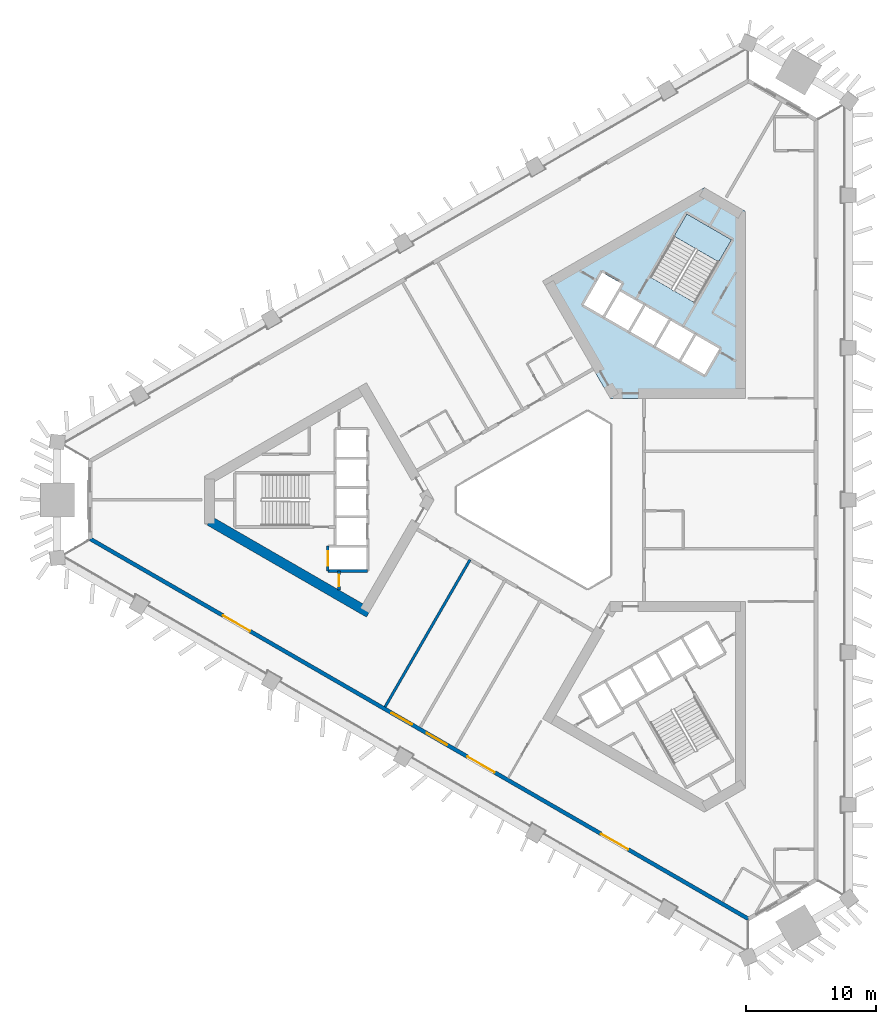
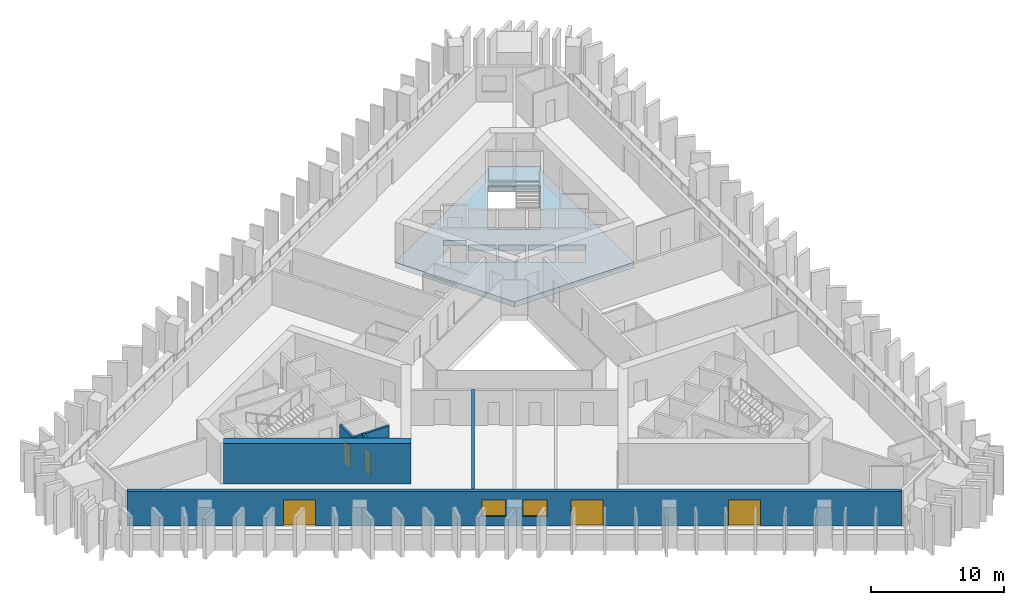
# One storey, part 2 of 11: 6 walls, 5 doors, 2 slabs, 2 windows, 7 openings, 1 element without a shape of its own.
"""IFC4 building model written with IfcOpenShell, lengths in metres."""

from ifc_helpers import new_model, si_unit, direction, frame, frame_2d, origin, place, context, subcontext, project, spatial, polyline, rectangle, outline, extrude, material, layer, layer_set, type_object, element, fill, aggregate, save


model = new_model("IFC4")

# Units and contexts
model_context = context("Model", 3, precision=1e-05, world=origin(), true_north=direction((0.0, 1.0)))
body_context = subcontext(model_context, "Body", "Model", "MODEL_VIEW")
ifc_project = project(units=[si_unit("LENGTHUNIT", "METRE"), si_unit("AREAUNIT", "SQUARE_METRE"), si_unit("VOLUMEUNIT", "CUBIC_METRE"), si_unit("PLANEANGLEUNIT", "RADIAN"), si_unit("MASSUNIT", "GRAM", prefix="KILO")], contexts=[model_context])

# Site, building, storey
site_placement = place(None, origin())
site = spatial("IfcSite", under=ifc_project, at=site_placement, CompositionType="ELEMENT")
building_placement = place(site_placement, origin())
building = spatial("IfcBuilding", under=site, at=building_placement, Name="Jabali Bay Hotel Tower and Convention Centre", CompositionType="ELEMENT")
storey_placement = place(building_placement, frame((0.0, 0.0, 90.60009765625)))
storey = spatial("IfcBuildingStorey", under=building, at=storey_placement, Name="L21", CompositionType="ELEMENT", Elevation=90.60009765625)

# Slab
ifc_material_1 = material(Name="Concrete C40", Category="concrete")
ifc_layer_1 = layer(ifc_material_1, 0.5)
ifc_layer_set_1 = layer_set([ifc_layer_1], Name="Concrete C40")
slab_type_1 = type_object("IfcSlabType", Name="Core floor slab 500", PredefinedType="FLOOR", material=ifc_layer_set_1)
slab_1_placement = place(storey_placement, frame((0.0, 0.0, -0.5)))
element("IfcSlab", 1, at=slab_1_placement, inside=storey, type_object=slab_type_1, Name="Core floor slab 2 L21", PredefinedType="FLOOR", context=body_context, shape_type="SweptSolid", body=[
    extrude(outline(polyline([(79.5, 87.794189453125), (89.8798828125, 87.794189453125), (89.8798828125, 102.127685546875), (86.72314453125, 103.9501953125), (74.31005859375, 96.78369140625), (79.5, 87.794189453125)]), holes=[polyline([(84.957763671875, 90.6474609375), (86.733154296875, 89.62255859375), (87.873291015625, 91.59716796875), (86.097900390625, 92.6220703125), (84.957763671875, 90.6474609375)]), polyline([(84.1494140625, 93.7470703125), (83.00927734375, 91.7724609375), (84.78466796875, 90.74755859375), (85.924560546875, 92.72216796875), (84.1494140625, 93.7470703125)]), polyline([(82.20068359375, 94.8720703125), (81.060791015625, 92.8974609375), (82.836181640625, 91.87255859375), (83.97607421875, 93.84716796875), (82.20068359375, 94.8720703125)]), polyline([(79.1123046875, 94.0224609375), (80.887451171875, 92.99755859375), (82.027587890625, 94.97216796875), (80.252197265625, 95.9970703125), (79.1123046875, 94.0224609375)]), polyline([(78.891845703125, 97.440673828125), (77.466796875, 94.97265625), (78.93896484375, 94.12255859375), (80.364013671875, 96.5908203125), (78.891845703125, 97.440673828125)]), polyline([(82.584716796875, 97.0869140625), (86.00537109375, 95.11181640625), (88.80029296875, 99.952880859375), (85.379638671875, 101.927978515625), (82.584716796875, 97.0869140625)])]), origin(), (0.0, 0.0, 1.0), 0.5),
])

# Stair, slab
stair_type = type_object("IfcStairType", Name="Exit stair 1900", PredefinedType="HALF_TURN_STAIR", material=ifc_material_1)
stair_placement = place(storey_placement, origin())
stair = element("IfcStair", 2, at=stair_placement, inside=storey, type_object=stair_type, Name="L21 Exit Stair 2", PredefinedType="HALF_TURN_STAIR")
ifc_layer_2 = layer(ifc_material_1, 0.199951171875)
ifc_layer_set_2 = layer_set([ifc_layer_2], Name="Concrete C40")
slab_type_2 = type_object("IfcSlabType", Name="Stair landing 200", PredefinedType="LANDING", material=ifc_layer_set_2)
slab_2_placement = place(storey_placement, frame((0.0, 0.0, 1.64990234375)))
slab_2 = element("IfcSlab", 3, at=slab_2_placement, type_object=slab_type_2, Name="ST2 landing 1", PredefinedType="LANDING", context=body_context, shape_type="SweptSolid", body=[
    extrude(outline(polyline([(87.81884765625, 98.2529296875), (88.80029296875, 99.952880859375), (85.379638671875, 101.927978515625), (84.398193359375, 100.22802734375), (87.81884765625, 98.2529296875)])), origin(), (0.0, 0.0, 1.0), 0.199951171875),
])
aggregate(stair, [slab_2])

# Wall, opening, door
ifc_layer_3 = layer(ifc_material_1, 0.199951171875)
ifc_layer_set_3 = layer_set([ifc_layer_3], Name="Concrete C40")
wall_type_1 = type_object("IfcWallType", Name="Core partition wall 200", PredefinedType="PARTITIONING", material=ifc_layer_set_3)
wall_1_placement = place(storey_placement, frame((58.699951171875, 74.550048828125, 0.0), z_axis=(0.0, 0.0, 1.0), x_axis=(0.0, -1.0, 0.0)))
wall_1 = element("IfcWall", 4, at=wall_1_placement, inside=storey, type_object=wall_type_1, Name="Core wall 0.12 L21", PredefinedType="PARTITIONING", context=body_context, shape_type="SweptSolid", body=[
    extrude(rectangle(XDim=1.455078125, YDim=0.199951171875, at=frame_2d((0.7275390625, 0.0))), origin(), (0.0, 0.0, 1.0), 3.199951171875),
])
opening_1_placement = place(wall_1_placement, frame((0.277587890625, 0.0, 0.0)))
opening_1 = element("IfcOpeningElement", 5, at=opening_1_placement, cuts=wall_1, Name="Opening D494", PredefinedType="OPENING", context=body_context, shape_type="SweptSolid", body=[
    extrude(rectangle(XDim=0.89990234375, YDim=2.10009765625, at=frame_2d((0.449951171875, 1.050048828125))), frame((0.0, 0.1103515625, 0.0), z_axis=(0.0, -1.0, 0.0), x_axis=(1.0, 0.0, 0.0)), (0.0, 0.0, 1.0), 0.220947265625),
])
ifc_material_2 = material(Name="Fire-rated steel door", Category="steel")
door_type_1 = type_object("IfcDoorType", Name="Vestibule fire door 900 x 2100", OperationType="NOTDEFINED", PredefinedType="NOTDEFINED", material=ifc_material_2)
door_1_placement = place(opening_1_placement, origin())
door_1 = element("IfcDoor", 6, at=door_1_placement, inside=storey, type_object=door_type_1, Name="Vestibule fire door D494", OperationType="SINGLE_SWING_LEFT", OverallHeight=2.10009765625, OverallWidth=0.89990234375, PredefinedType="NOTDEFINED", context=body_context, shape_type="SweptSolid", body=[
    extrude(rectangle(XDim=0.89990234375, YDim=2.10009765625, at=frame_2d((0.449951171875, 1.050048828125))), frame((0.0, 0.02490234375, 0.0), z_axis=(0.0, -1.0, 0.0), x_axis=(1.0, 0.0, 0.0)), (0.0, 0.0, 1.0), 0.050048828125),
])
fill(opening_1, door_1)

# Wall
ifc_layer_4 = layer(ifc_material_1, 0.199951171875)
ifc_layer_set_4 = layer_set([ifc_layer_4], Name="Concrete C40")
wall_type_2 = type_object("IfcWallType", Name="Core stair wall 200", PredefinedType="SOLIDWALL", material=ifc_layer_set_4)
wall_2_placement = place(storey_placement, frame((60.89990234375, 74.550048828125, 0.0), z_axis=(0.0, 0.0, 1.0), x_axis=(-1.0, 0.0, 0.0)))
element("IfcWall", 7, at=wall_2_placement, inside=storey, type_object=wall_type_2, Name="Core wall 0.9 L21", PredefinedType="SOLIDWALL", context=body_context, shape_type="SweptSolid", body=[
    extrude(rectangle(XDim=3.0498046875, YDim=0.199951171875, at=frame_2d((1.52490234375, 0.0))), origin(), (0.0, 0.0, 1.0), 3.199951171875),
])

# Wall, opening, door
wall_3_placement = place(storey_placement, frame((57.85009765625, 76.449951171875, 0.0), z_axis=(0.0, 0.0, 1.0), x_axis=(0.0, -1.0, 0.0)))
wall_3 = element("IfcWall", 8, at=wall_3_placement, inside=storey, type_object=wall_type_2, Name="Core wall 0.14 L21", PredefinedType="SOLIDWALL", context=body_context, shape_type="SweptSolid", body=[
    extrude(rectangle(XDim=1.89990234375, YDim=0.199951171875, at=frame_2d((0.949951171875, 0.0))), origin(), (0.0, 0.0, 1.0), 3.199951171875),
])
opening_2_placement = place(wall_3_placement, frame((0.39990234375, 0.0, 0.0)))
opening_2 = element("IfcOpeningElement", 9, at=opening_2_placement, cuts=wall_3, Name="Opening LD5-L21", PredefinedType="OPENING", context=body_context, shape_type="SweptSolid", body=[
    extrude(rectangle(XDim=1.10009765625, YDim=2.10009765625, at=frame_2d((0.550048828125, 1.050048828125))), frame((0.0, 0.1103515625, 0.0), z_axis=(0.0, -1.0, 0.0), x_axis=(1.0, 0.0, 0.0)), (0.0, 0.0, 1.0), 0.220947265625),
])
ifc_material_3 = material(Name="Stainless steel landing door", Category="steel")
door_type_2 = type_object("IfcDoorType", Name="Landing door 1100 x 2100", OperationType="NOTDEFINED", PredefinedType="NOTDEFINED", material=ifc_material_3)
door_2_placement = place(opening_2_placement, origin())
door_2 = element("IfcDoor", 10, at=door_2_placement, inside=storey, type_object=door_type_2, Name="Landing doors LD5-L21", OperationType="SLIDING_TO_RIGHT", OverallHeight=2.10009765625, OverallWidth=1.10009765625, PredefinedType="NOTDEFINED", context=body_context, shape_type="SweptSolid", body=[
    extrude(rectangle(XDim=1.10009765625, YDim=2.10009765625, at=frame_2d((0.550048828125, 1.050048828125))), frame((0.0, 0.02490234375, 0.0), z_axis=(0.0, -1.0, 0.0), x_axis=(1.0, 0.0, 0.0)), (0.0, 0.0, 1.0), 0.050048828125),
])
fill(opening_2, door_2)

# Wall
ifc_material_4 = material(Name="Concrete C60", Category="concrete")
ifc_layer_5 = layer(ifc_material_4, 0.75)
ifc_layer_set_5 = layer_set([ifc_layer_5], Name="Concrete C60")
wall_type_3 = type_object("IfcWallType", Name="Core wall 750", PredefinedType="SHEAR", material=ifc_layer_set_5)
wall_4_placement = place(storey_placement, frame((48.77197265625, 78.393798828125, 0.0), z_axis=(0.0, 0.0, 1.0), x_axis=(0.866028339916, -0.499994914436, 0.0)))
element("IfcWall", 11, at=wall_4_placement, inside=storey, type_object=wall_type_3, Name="Core wall 1.4 L21", PredefinedType="SHEAR", context=body_context, shape_type="SweptSolid", body=[
    extrude(rectangle(XDim=14.116943359375, YDim=0.75, at=frame_2d((7.05859375, 0.0))), origin(), (0.0, 0.0, 1.0), 3.699951171875),
])

# Wall, openings, doors, windows
ifc_layer_6 = layer(ifc_material_1, 0.300048828125)
ifc_layer_set_6 = layer_set([ifc_layer_6], Name="Concrete C40")
wall_type_4 = type_object("IfcWallType", Name="External wall 300", PredefinedType="SOLIDWALL", material=ifc_layer_set_6)
wall_5_placement = place(storey_placement, frame((90.109619140625, 47.863037109375, 0.0), z_axis=(0.0, 0.0, 1.0), x_axis=(-0.866024236478, 0.500002021829, 0.0)))
wall_5 = element("IfcWall", 12, at=wall_5_placement, inside=storey, type_object=wall_type_4, Name="External wall south-west face L21", PredefinedType="SOLIDWALL", context=body_context, shape_type="SweptSolid", body=[
    extrude(rectangle(XDim=58.307373046875, YDim=0.300048828125, at=frame_2d((29.15380859375, 0.0))), origin(), (0.0, 0.0, 1.0), 3.199951171875),
])
opening_3_placement = place(wall_5_placement, frame((44.1328125, 0.0, 0.0)))
opening_3 = element("IfcOpeningElement", 13, at=opening_3_placement, cuts=wall_5, Name="Opening SD1", PredefinedType="OPENING", context=body_context, shape_type="SweptSolid", body=[
    extrude(rectangle(XDim=2.39990234375, YDim=2.39990234375, at=frame_2d((1.199951171875, 1.199951171875))), frame((0.0, 0.16064453125, 0.0), z_axis=(0.0, -1.0, 0.0), x_axis=(1.0, 0.0, 0.0)), (0.0, 0.0, 1.0), 0.321044921875),
])
opening_4_placement = place(wall_5_placement, frame((22.497802734375, 0.0, 0.0)))
opening_4 = element("IfcOpeningElement", 14, at=opening_4_placement, cuts=wall_5, Name="Opening SD1", PredefinedType="OPENING", context=body_context, shape_type="SweptSolid", body=[
    extrude(rectangle(XDim=2.39990234375, YDim=2.39990234375, at=frame_2d((1.199951171875, 1.199951171875))), frame((0.0, 0.16064453125, 0.0), z_axis=(0.0, -1.0, 0.0), x_axis=(1.0, 0.0, 0.0)), (0.0, 0.0, 1.0), 0.321044921875),
])
opening_5_placement = place(wall_5_placement, frame((10.650390625, 0.0, 0.0)))
opening_5 = element("IfcOpeningElement", 15, at=opening_5_placement, cuts=wall_5, Name="Opening SD1", PredefinedType="OPENING", context=body_context, shape_type="SweptSolid", body=[
    extrude(rectangle(XDim=2.39990234375, YDim=2.39990234375, at=frame_2d((1.199951171875, 1.199951171875))), frame((0.0, 0.16064453125, 0.0), z_axis=(0.0, -1.0, 0.0), x_axis=(1.0, 0.0, 0.0)), (0.0, 0.0, 1.0), 0.321044921875),
])
opening_6_placement = place(wall_5_placement, frame((29.8125, 0.0, 0.89990234375)))
opening_6 = element("IfcOpeningElement", 16, at=opening_6_placement, cuts=wall_5, Name="Opening W1", PredefinedType="OPENING", context=body_context, shape_type="SweptSolid", body=[
    extrude(rectangle(XDim=1.800048828125, YDim=1.5, at=frame_2d((0.89990234375, 0.75))), frame((0.0, 0.16064453125, 0.0), z_axis=(0.0, -1.0, 0.0), x_axis=(1.0, 0.0, 0.0)), (0.0, 0.0, 1.0), 0.321044921875),
])
opening_7_placement = place(wall_5_placement, frame((26.69482421875, 0.0, 0.89990234375)))
opening_7 = element("IfcOpeningElement", 17, at=opening_7_placement, cuts=wall_5, Name="Opening W1", PredefinedType="OPENING", context=body_context, shape_type="SweptSolid", body=[
    extrude(rectangle(XDim=1.800048828125, YDim=1.5, at=frame_2d((0.89990234375, 0.75))), frame((0.0, 0.16064453125, 0.0), z_axis=(0.0, -1.0, 0.0), x_axis=(1.0, 0.0, 0.0)), (0.0, 0.0, 1.0), 0.321044921875),
])
ifc_material_5 = material(Name="Glass", Category="glass")
door_type_3 = type_object("IfcDoorType", Name="Loggia sliding door 2400 x 2400", OperationType="NOTDEFINED", PredefinedType="NOTDEFINED", material=ifc_material_5)
door_3_placement = place(opening_3_placement, origin())
door_3 = element("IfcDoor", 18, at=door_3_placement, inside=storey, type_object=door_type_3, Name="Loggia sliding door 2106", OperationType="SLIDING_TO_LEFT", OverallHeight=2.39990234375, OverallWidth=2.39990234375, PredefinedType="NOTDEFINED", context=body_context, shape_type="SweptSolid", body=[
    extrude(rectangle(XDim=2.39990234375, YDim=2.39990234375, at=frame_2d((1.199951171875, 1.199951171875))), frame((0.0, 0.02490234375, 0.0), z_axis=(0.0, -1.0, 0.0), x_axis=(1.0, 0.0, 0.0)), (0.0, 0.0, 1.0), 0.050048828125),
])
fill(opening_3, door_3)
door_4_placement = place(opening_4_placement, origin())
door_4 = element("IfcDoor", 19, at=door_4_placement, inside=storey, type_object=door_type_3, Name="Loggia sliding door 2109", OperationType="SLIDING_TO_RIGHT", OverallHeight=2.39990234375, OverallWidth=2.39990234375, PredefinedType="NOTDEFINED", context=body_context, shape_type="SweptSolid", body=[
    extrude(rectangle(XDim=2.39990234375, YDim=2.39990234375, at=frame_2d((1.199951171875, 1.199951171875))), frame((0.0, 0.02490234375, 0.0), z_axis=(0.0, -1.0, 0.0), x_axis=(1.0, 0.0, 0.0)), (0.0, 0.0, 1.0), 0.050048828125),
])
fill(opening_4, door_4)
door_5_placement = place(opening_5_placement, origin())
door_5 = element("IfcDoor", 20, at=door_5_placement, inside=storey, type_object=door_type_3, Name="Loggia sliding door 2109", OperationType="SLIDING_TO_LEFT", OverallHeight=2.39990234375, OverallWidth=2.39990234375, PredefinedType="NOTDEFINED", context=body_context, shape_type="SweptSolid", body=[
    extrude(rectangle(XDim=2.39990234375, YDim=2.39990234375, at=frame_2d((1.199951171875, 1.199951171875))), frame((0.0, 0.02490234375, 0.0), z_axis=(0.0, -1.0, 0.0), x_axis=(1.0, 0.0, 0.0)), (0.0, 0.0, 1.0), 0.050048828125),
])
fill(opening_5, door_5)
window_type = type_object("IfcWindowType", Name="Window 1800 x 1500", PartitioningType="SINGLE_PANEL", PredefinedType="WINDOW", material=ifc_material_5)
window_1_placement = place(opening_6_placement, origin())
window_1 = element("IfcWindow", 21, at=window_1_placement, inside=storey, type_object=window_type, Name="Window 2107", OverallHeight=1.5, OverallWidth=1.800048828125, PartitioningType="SINGLE_PANEL", PredefinedType="WINDOW", context=body_context, shape_type="SweptSolid", body=[
    extrude(rectangle(XDim=1.800048828125, YDim=1.5, at=frame_2d((0.89990234375, 0.75))), frame((0.0, 0.030029296875, 0.0), z_axis=(0.0, -1.0, 0.0), x_axis=(1.0, 0.0, 0.0)), (0.0, 0.0, 1.0), 0.06005859375),
])
fill(opening_6, window_1)
window_2_placement = place(opening_7_placement, origin())
window_2 = element("IfcWindow", 22, at=window_2_placement, inside=storey, type_object=window_type, Name="Window 2108", OverallHeight=1.5, OverallWidth=1.800048828125, PartitioningType="SINGLE_PANEL", PredefinedType="WINDOW", context=body_context, shape_type="SweptSolid", body=[
    extrude(rectangle(XDim=1.800048828125, YDim=1.5, at=frame_2d((0.89990234375, 0.75))), frame((0.0, 0.030029296875, 0.0), z_axis=(0.0, -1.0, 0.0), x_axis=(1.0, 0.0, 0.0)), (0.0, 0.0, 1.0), 0.06005859375),
])
fill(opening_7, window_2)

# Wall
ifc_material_6 = material(Name="Plasterboard on steel stud", Category="steel")
ifc_layer_7 = layer(ifc_material_6, 0.199951171875)
ifc_layer_set_7 = layer_set([ifc_layer_7], Name="Plasterboard on steel stud")
wall_type_5 = type_object("IfcWallType", Name="Partition 200 party", PredefinedType="PARTITIONING", material=ifc_layer_set_7)
wall_6_placement = place(storey_placement, frame((62.236328125, 64.1279296875, 0.0), z_axis=(0.0, 0.0, 1.0), x_axis=(0.499992822802, 0.866029547502, 0.0)))
element("IfcWall", 23, at=wall_6_placement, inside=storey, type_object=wall_type_5, Name="Partition P01 L21 027", PredefinedType="PARTITIONING", context=body_context, shape_type="SweptSolid", body=[
    extrude(rectangle(XDim=13.027587890625, YDim=0.199951171875, at=frame_2d((6.513671875, 0.0))), origin(), (0.0, 0.0, 1.0), 3.199951171875),
])

save(model, "model.ifc")
